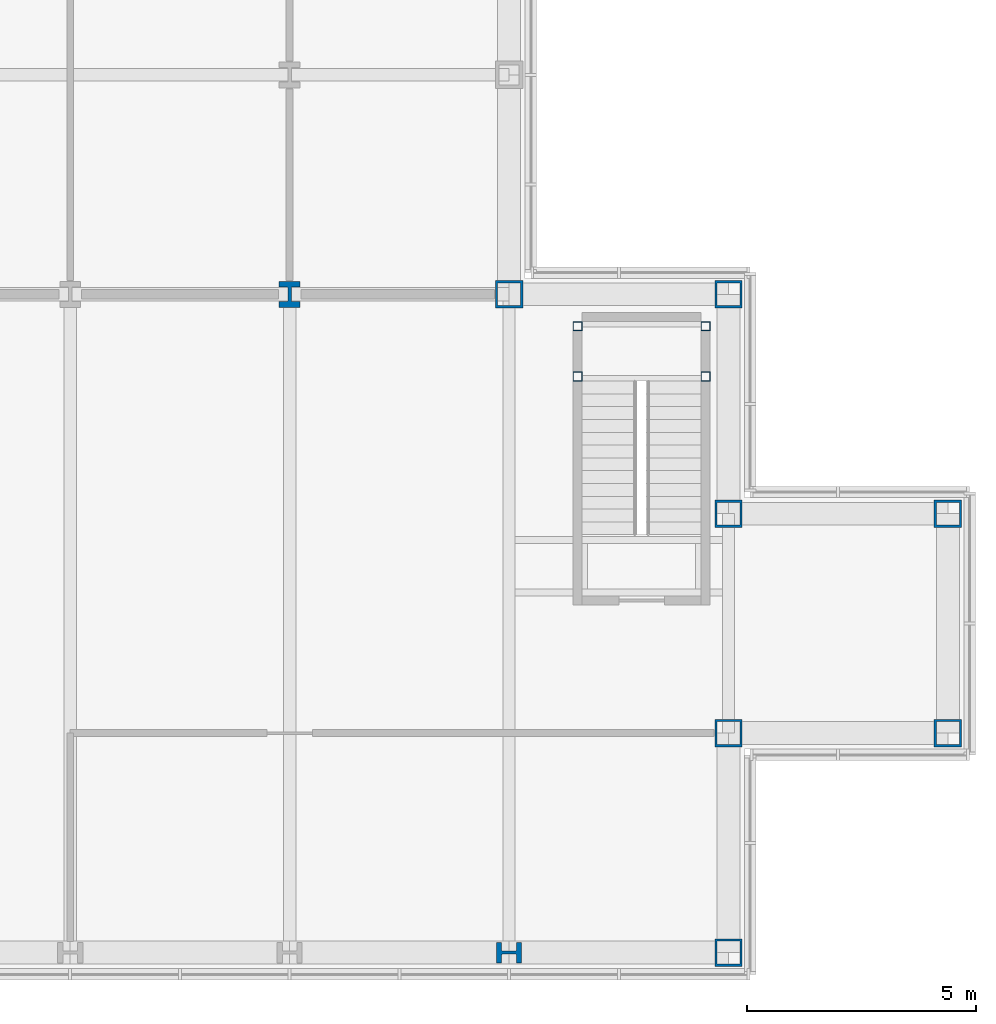
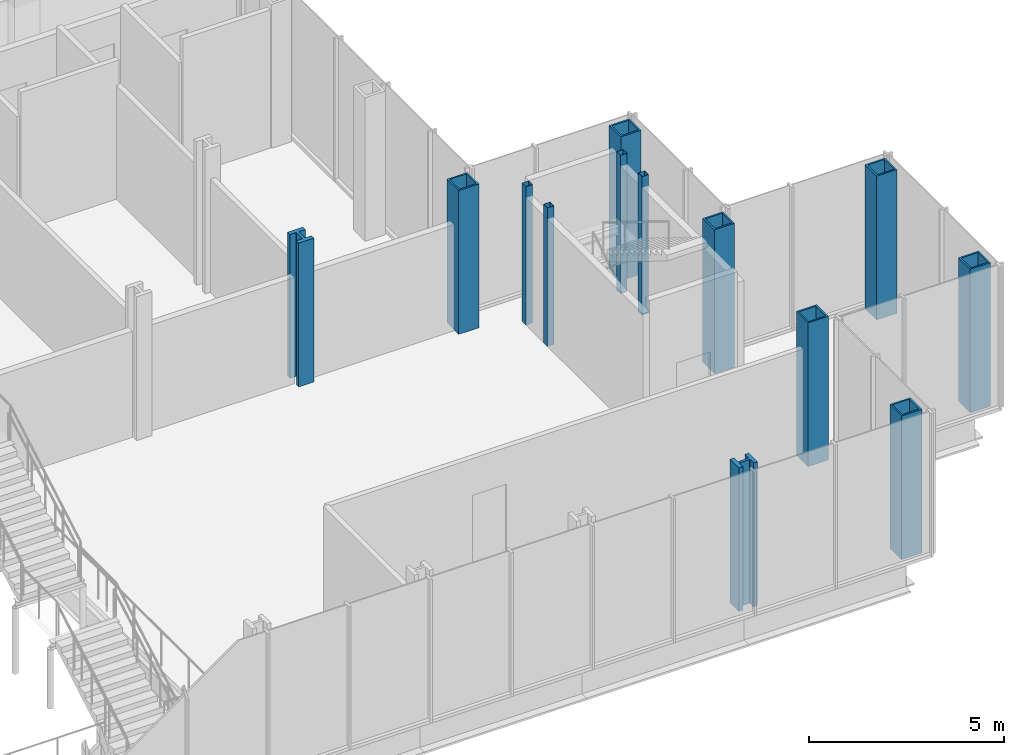
# One storey, part 5 of 28: 13 columns.
"""IFC4 building model written with IfcOpenShell, lengths in metres."""

from ifc_helpers import new_model, si_unit, direction, frame, origin, origin_2d, place, context, subcontext, project, spatial, hollow_rectangle, i_section, extrude, material, material_profile, profile_set, type_object, element, save


model = new_model("IFC4")

# Units and contexts
model_context = context("Model", 3, precision=1e-05, world=origin(), true_north=direction((0.0, 1.0)))
body_context = subcontext(model_context, "Body", "Model", "MODEL_VIEW")
ifc_project = project(units=[si_unit("LENGTHUNIT", "METRE"), si_unit("AREAUNIT", "SQUARE_METRE"), si_unit("VOLUMEUNIT", "CUBIC_METRE"), si_unit("PLANEANGLEUNIT", "RADIAN"), si_unit("MASSUNIT", "GRAM", prefix="KILO")], contexts=[model_context])

# Site, building, storey
site_placement = place(None, origin())
site = spatial("IfcSite", under=ifc_project, at=site_placement, CompositionType="ELEMENT")
building_placement = place(site_placement, origin())
building = spatial("IfcBuilding", under=site, at=building_placement, Name="Kvirike Care Tower", CompositionType="ELEMENT")
storey_placement = place(building_placement, frame((0.0, 0.0, 4.5)))
storey = spatial("IfcBuildingStorey", under=building, at=storey_placement, Name="L01", CompositionType="ELEMENT", Elevation=4.5)

# Columns
ifc_material_1 = material(Name="Steel S460", Category="steel")
ifc_material_profile_1 = material_profile(ifc_material_1, hollow_rectangle(XDim=0.60009765625, YDim=0.60009765625, WallThickness=0.050048828125, at=origin_2d()), Name="BX 600x600x50")
ifc_profile_set_1 = profile_set([ifc_material_profile_1], Name="Steel S460")
column_type_1 = type_object("IfcColumnType", Name="COLUMN BX 600x600x50", PredefinedType="COLUMN", material=ifc_profile_set_1)
for number, where, z_axis, x_axis, name in (
    (1, (43.199951171875, 14.39990234375, 0.0), (0.0, 0.0, 1.0), (0.0, 1.0, 0.0), "Column D12 L01"),
    (2, (48.0, 0.0, 0.0), (0.0, 0.0, 1.0), (0.0, 1.0, 0.0), "Column A13 L01"),
    (3, (48.0, 4.800048828125, 0.0), (0.0, 0.0, 1.0), (0.0, 1.0, 0.0), "Column B13 L01"),
    (4, (48.0, 9.60009765625, 0.0), (0.0, 0.0, 1.0), (0.0, 1.0, 0.0), "Column C13 L01"),
    (5, (48.0, 14.39990234375, 0.0), (0.0, 0.0, 1.0), (0.0, 1.0, 0.0), "Column D13 L01"),
    (6, (52.800048828125, 4.800048828125, 0.0), (0.0, 0.0, 1.0), (0.0, 1.0, 0.0), "Column B14 L01"),
    (7, (52.800048828125, 9.60009765625, 0.0), (0.0, 0.0, 1.0), (0.0, 1.0, 0.0), "Column C14 L01"),
):
    element("IfcColumn", number, at=place(storey_placement, frame(where, z_axis=z_axis, x_axis=x_axis)), inside=storey, type_object=column_type_1, Name=name, PredefinedType="COLUMN", context=body_context, shape_type="SweptSolid", body=[
        extrude(hollow_rectangle(XDim=0.60009765625, YDim=0.60009765625, WallThickness=0.050048828125, at=origin_2d()), origin(), (0.0, 0.0, 1.0), 4.5),
    ])
ifc_material_2 = material(Name="Steel S460", Category="steel")
ifc_material_profile_2 = material_profile(ifc_material_2, i_section(OverallWidth=0.4541015625, OverallDepth=0.569091796875, WebThickness=0.077880859375, FlangeThickness=0.125, FilletRadius=0.014892578125, at=origin_2d()), Name="HD 400x1086")
ifc_profile_set_2 = profile_set([ifc_material_profile_2], Name="Steel S460")
column_type_2 = type_object("IfcColumnType", Name="COLUMN HD 400x1086", PredefinedType="COLUMN", material=ifc_profile_set_2)
column_1_placement = place(storey_placement, frame((38.39990234375, 14.39990234375, 0.0), z_axis=(0.0, 0.0, 1.0), x_axis=(1.0, 0.0, 0.0)))
element("IfcColumn", 8, at=column_1_placement, inside=storey, type_object=column_type_2, Name="Column D11 L01", PredefinedType="COLUMN", context=body_context, shape_type="SweptSolid", body=[
    extrude(i_section(OverallWidth=0.4541015625, OverallDepth=0.569091796875, WebThickness=0.077880859375, FlangeThickness=0.125, FilletRadius=0.014892578125, at=origin_2d()), origin(), (0.0, 0.0, 1.0), 4.5),
])
ifc_material_3 = material(Name="Steel S460", Category="steel")
ifc_material_profile_3 = material_profile(ifc_material_3, i_section(OverallWidth=0.447998046875, OverallDepth=0.550048828125, WebThickness=0.072021484375, FlangeThickness=0.114990234375, FilletRadius=0.014892578125, at=origin_2d()), Name="HD 400x990")
ifc_profile_set_3 = profile_set([ifc_material_profile_3], Name="Steel S460")
column_type_3 = type_object("IfcColumnType", Name="COLUMN HD 400x990", PredefinedType="COLUMN", material=ifc_profile_set_3)
column_2_placement = place(storey_placement, frame((43.199951171875, 0.0, 0.0), z_axis=(0.0, 0.0, 1.0), x_axis=(0.0, 1.0, 0.0)))
element("IfcColumn", 9, at=column_2_placement, inside=storey, type_object=column_type_3, Name="Column A12 L01", PredefinedType="COLUMN", context=body_context, shape_type="SweptSolid", body=[
    extrude(i_section(OverallWidth=0.447998046875, OverallDepth=0.550048828125, WebThickness=0.072021484375, FlangeThickness=0.114990234375, FilletRadius=0.014892578125, at=origin_2d()), origin(), (0.0, 0.0, 1.0), 4.5),
])
ifc_material_4 = material(Name="Steel S460", Category="steel")
ifc_material_profile_4 = material_profile(ifc_material_4, hollow_rectangle(XDim=0.199951171875, YDim=0.199951171875, WallThickness=0.008056640625, at=origin_2d()), Name="SHS 200x200x8")
ifc_profile_set_4 = profile_set([ifc_material_profile_4], Name="Steel S460")
column_type_4 = type_object("IfcColumnType", Name="STAIR POST SHS 200x200x8", PredefinedType="COLUMN", material=ifc_profile_set_4)
for number, where, z_axis, x_axis, name in (
    (10, (44.699951171875, 13.699951171875, 0.0), (0.0, 0.0, 1.0), (1.0, 0.0, 0.0), "Stair 4 post 1 L01"),
    (11, (47.5, 13.699951171875, 0.0), (0.0, 0.0, 1.0), (1.0, 0.0, 0.0), "Stair 4 post 2 L01"),
    (12, (44.699951171875, 12.60009765625, 0.0), (0.0, 0.0, 1.0), (1.0, 0.0, 0.0), "Stair 4 post 3 L01"),
    (13, (47.5, 12.60009765625, 0.0), (0.0, 0.0, 1.0), (1.0, 0.0, 0.0), "Stair 4 post 4 L01"),
):
    element("IfcColumn", number, at=place(storey_placement, frame(where, z_axis=z_axis, x_axis=x_axis)), inside=storey, type_object=column_type_4, Name=name, PredefinedType="COLUMN", context=body_context, shape_type="SweptSolid", body=[
        extrude(hollow_rectangle(XDim=0.199951171875, YDim=0.199951171875, WallThickness=0.008056640625, at=origin_2d()), origin(), (0.0, 0.0, 1.0), 4.330078125),
    ])

save(model, "model.ifc")
